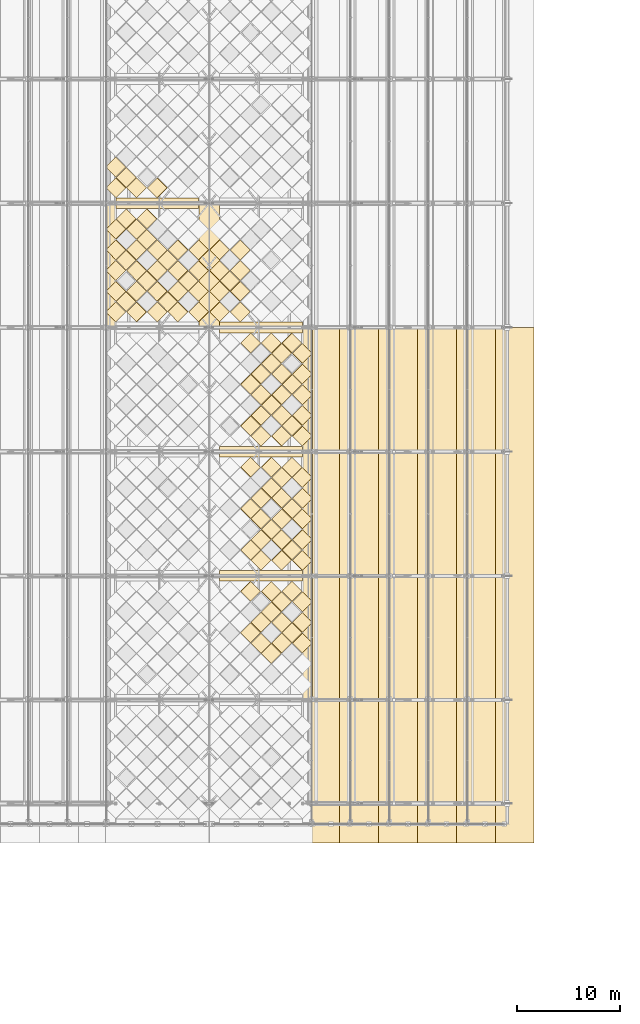
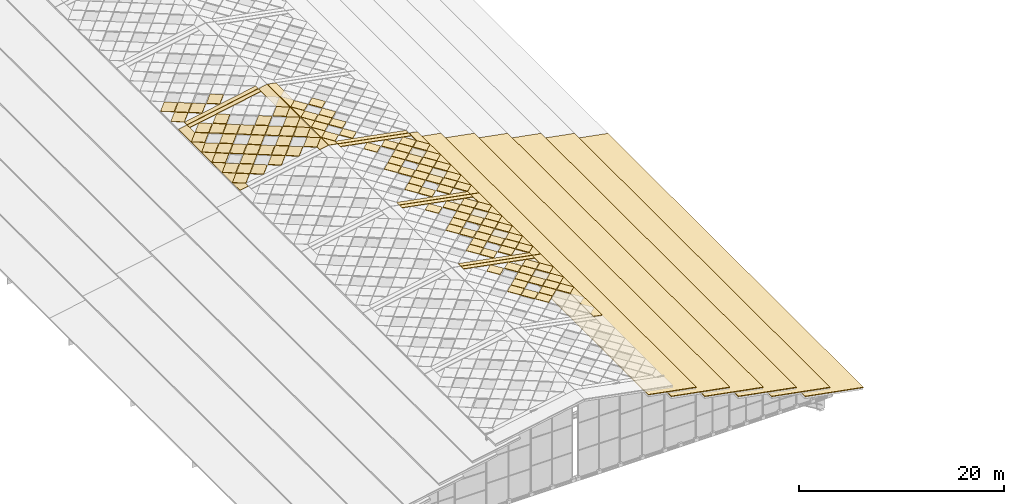
# One storey, part 114 of 117: 126 coverings.
"""IFC4 building model written with IfcOpenShell, lengths in metres."""

import ifcopenshell
import ifcopenshell.guid

model = None  # the IFC model being written
_history = None  # IfcOwnerHistory: only IFC2X3 demands one
_inside = {}  # id of a spatial element -> (the spatial element, [elements in it])
_under = {}  # id of a project, library or spatial element -> (it, [spatial elements below it])
_declared = {}  # id of a project -> (the project, [libraries it declares])
_typed = {}  # id of a type object -> (the type object, [elements of that type])
_made_of = {}  # id of a material, layer set ... -> (it, [elements and type objects made of it])


def new_model(schema):
    """Start an empty IFC model of exactly this schema.

    Asked for "IFC4X3", IfcOpenShell would pick the latest addendum, in which some entities
    have other attributes; the version numbers below select the first issue.
    IFC2X3 requires an IfcOwnerHistory on every rooted entity: one is made here for all.
    """
    global model, _history
    if schema == "IFC4X3":
        model = ifcopenshell.file(schema_version=(4, 3, 0, 0))
    else:
        model = ifcopenshell.file(schema=schema)
    _inside.clear()
    _under.clear()
    _declared.clear()
    _typed.clear()
    _made_of.clear()
    _history = None
    if model.schema == "IFC2X3":
        org = make("IfcOrganization", Name="unknown")
        user = make(
            "IfcPersonAndOrganization",
            ThePerson=make("IfcPerson", FamilyName="unknown"),
            TheOrganization=org,
        )
        app = make(
            "IfcApplication",
            ApplicationDeveloper=org,
            Version="unknown",
            ApplicationFullName="unknown",
            ApplicationIdentifier="unknown",
        )
        _history = make(
            "IfcOwnerHistory",
            OwningUser=user,
            OwningApplication=app,
            ChangeAction="ADDED",
            CreationDate=0,
        )
    return model


def make(cls, **values):
    """One entity of the class cls with the attributes given. An attribute that is None is left unset."""
    return model.create_entity(
        cls, **{name: value for name, value in values.items() if value is not None}
    )


def rooted(cls, **values):
    """An entity with a GlobalId (a new one), such as an element, a storey or a relation."""
    return make(cls, GlobalId=ifcopenshell.guid.new(), OwnerHistory=_history, **values)


def si_unit(unit_type, name, prefix=None):
    """IfcSIUnit, for example si_unit("LENGTHUNIT", "METRE", prefix="MILLI")."""
    return make("IfcSIUnit", UnitType=unit_type, Prefix=prefix, Name=name)


def assignment(units):
    """IfcUnitAssignment: the units of a project."""
    return None if units is None else make("IfcUnitAssignment", Units=units)


def point(xyz):
    """IfcCartesianPoint."""
    return None if xyz is None else make("IfcCartesianPoint", Coordinates=xyz)


def direction(xyz):
    """IfcDirection."""
    return None if xyz is None else make("IfcDirection", DirectionRatios=xyz)


def frame(location, z_axis=None, x_axis=None):
    """IfcAxis2Placement3D, a coordinate frame: its origin and axes. An axis left out is left unset."""
    return make(
        "IfcAxis2Placement3D",
        Location=point(location),
        Axis=direction(z_axis),
        RefDirection=direction(x_axis),
    )


def origin():
    """The frame at (0, 0, 0) with its axes left unset."""
    return frame((0.0, 0.0, 0.0))


def place(relative_to, where):
    """IfcLocalPlacement: puts the frame where relative to a parent placement (None: the world)."""
    return make(
        "IfcLocalPlacement", PlacementRelTo=relative_to, RelativePlacement=where
    )


def context(
    kind, dimensions, precision=None, world=None, true_north=None, identifier=None
):
    """IfcGeometricRepresentationContext, for example the 3D "Model" context."""
    return make(
        "IfcGeometricRepresentationContext",
        ContextIdentifier=identifier,
        ContextType=kind,
        CoordinateSpaceDimension=dimensions,
        Precision=precision,
        WorldCoordinateSystem=world,
        TrueNorth=true_north,
    )


def subcontext(parent, identifier, kind, view, scale=None):
    """IfcGeometricRepresentationSubContext, for example "Body" below "Model"."""
    return make(
        "IfcGeometricRepresentationSubContext",
        ContextIdentifier=identifier,
        ContextType=kind,
        ParentContext=parent,
        TargetScale=scale,
        TargetView=view,
    )


def project(units=None, contexts=None):
    """IfcProject with its units and contexts."""
    return rooted(
        "IfcProject",
        Name="project",
        RepresentationContexts=contexts,
        UnitsInContext=assignment(units),
    )


def spatial(cls, under=None, at=None, **own):
    """A site, building, storey or space (cls), placed at a placement, below another one or the project."""
    s = rooted(cls, ObjectPlacement=at, **own)
    if under is not None:
        _under.setdefault(under.id(), (under, []))[1].append(s)
    return s


def polyline(points):
    """IfcPolyline through the points."""
    return make("IfcPolyline", Points=[point(p) for p in points])


def outline(outer, holes=None, kind="AREA"):
    """IfcArbitraryClosedProfileDef: a profile drawn as a closed curve; with holes, ...WithVoids."""
    if holes is None:
        return make("IfcArbitraryClosedProfileDef", ProfileType=kind, OuterCurve=outer)
    return make(
        "IfcArbitraryProfileDefWithVoids",
        ProfileType=kind,
        OuterCurve=outer,
        InnerCurves=holes,
    )


def extrude(swept, where, along, depth):
    """IfcExtrudedAreaSolid: the profile swept, set in the frame where, extruded along a direction by depth."""
    return make(
        "IfcExtrudedAreaSolid",
        SweptArea=swept,
        Position=where,
        ExtrudedDirection=direction(along),
        Depth=depth,
    )


def shape(context_of_items, identifier, shape_type, items):
    """IfcShapeRepresentation: the items that make up one representation, for example the "Body"."""
    return make(
        "IfcShapeRepresentation",
        ContextOfItems=context_of_items,
        RepresentationIdentifier=identifier,
        RepresentationType=shape_type,
        Items=items,
    )


def material(Name=None, Category=None):
    """IfcMaterial."""
    return make("IfcMaterial", Name=Name, Category=Category)


def layer(
    of_material, thickness, ventilated=None, Name=None, Category=None, Priority=None
):
    """IfcMaterialLayer: one layer of a wall or slab, of a material (None: an air gap)."""
    return make(
        "IfcMaterialLayer",
        Material=of_material,
        LayerThickness=thickness,
        IsVentilated=ventilated,
        Name=Name,
        Category=Category,
        Priority=Priority,
    )


def layer_set(layers, Name=None):
    """IfcMaterialLayerSet."""
    return make("IfcMaterialLayerSet", MaterialLayers=layers, LayerSetName=Name)


def made_of(thing, what):
    """Note that an element or type object is made of a material, layer set ...; save() writes the relation."""
    if what is not None:
        _made_of.setdefault(what.id(), (what, []))[1].append(thing)
    return thing


def type_object(cls, material=None, **own):
    """A type object (cls), such as IfcWallType, which elements share."""
    return made_of(rooted(cls, **own), material)


def element(
    cls,
    number,
    at=None,
    inside=None,
    cuts=None,
    type_object=None,
    material=None,
    context=None,
    identifier="Body",
    shape_type=None,
    held_by="IfcProductDefinitionShape",
    body=None,
    shapes=None,
    **own,
):
    """One element of the class cls, such as IfcWall. Its Tag is "e" and its number.

    at: its placement. inside: the storey or other place that contains it. cuts: it is an
    opening in that element (IfcRelVoidsElement). A single representation is given by context,
    identifier, shape_type and body (its items); several are given by shapes. held_by: the class
    of the entity that holds the representations. save() writes the other relations.
    """
    e = rooted(cls, Tag="e%d" % number, ObjectPlacement=at, **own)
    if body is not None:
        shapes = [shape(context, identifier, shape_type, body)]
    if shapes is not None:
        e.Representation = make(held_by, Representations=shapes)
    if inside is not None:
        _inside.setdefault(inside.id(), (inside, []))[1].append(e)
    if cuts is not None:
        rooted(
            "IfcRelVoidsElement", RelatingBuildingElement=cuts, RelatedOpeningElement=e
        )
    if type_object is not None:
        _typed.setdefault(type_object.id(), (type_object, []))[1].append(e)
    return made_of(e, material)


def aggregate(whole, parts):
    """IfcRelAggregates: a whole, such as a stair, and the parts it consists of."""
    return rooted("IfcRelAggregates", RelatingObject=whole, RelatedObjects=parts)


def save(model, path):
    """Write the relations noted so far, then the file.

    IfcRelAggregates (storeys below a building ...), IfcRelContainedInSpatialStructure (elements
    in a storey), IfcRelDefinesByType, IfcRelAssociatesMaterial and IfcRelDeclares: one each for
    every whole, place, type object, material and project.
    """
    for whole, parts in _under.values():
        aggregate(whole, parts)
    for where, things in _inside.values():
        rooted(
            "IfcRelContainedInSpatialStructure",
            RelatedElements=things,
            RelatingStructure=where,
        )
    for kind, things in _typed.values():
        rooted("IfcRelDefinesByType", RelatedObjects=things, RelatingType=kind)
    for what, things in _made_of.values():
        rooted("IfcRelAssociatesMaterial", RelatedObjects=things, RelatingMaterial=what)
    for by, libraries in _declared.values():
        rooted("IfcRelDeclares", RelatingContext=by, RelatedDefinitions=libraries)
    model.write(path)


model = new_model("IFC4")

# Units and contexts
model_context = context("Model", 3, precision=1e-05, world=origin(), true_north=direction((0.0, 1.0)))
body_context = subcontext(model_context, "Body", "Model", "MODEL_VIEW")
ifc_project = project(units=[si_unit("LENGTHUNIT", "METRE"), si_unit("AREAUNIT", "SQUARE_METRE"), si_unit("VOLUMEUNIT", "CUBIC_METRE"), si_unit("PLANEANGLEUNIT", "RADIAN"), si_unit("MASSUNIT", "GRAM", prefix="KILO")], contexts=[model_context])

# Site, building, storey
site_placement = place(None, origin())
site = spatial("IfcSite", under=ifc_project, at=site_placement, CompositionType="ELEMENT")
building_placement = place(site_placement, origin())
building = spatial("IfcBuilding", under=site, at=building_placement, Name="Merenkruunu Market Hall", CompositionType="ELEMENT")
storey_placement = place(building_placement, frame((0.0, 0.0, 22.800048828125)))
storey = spatial("IfcBuildingStorey", under=building, at=storey_placement, Name="RF", CompositionType="ELEMENT", Elevation=22.800048828125)

# Coverings
ifc_material_1 = material(Name="High-albedo white steel roof cladding", Category="steel")
ifc_layer_1 = layer(ifc_material_1, 0.080078125)
ifc_layer_set_1 = layer_set([ifc_layer_1], Name="High-albedo white steel roof cladding")
covering_type_1 = type_object("IfcCoveringType", Name="Insulated White Diamond Roof Panel RFG01", PredefinedType="ROOFING", material=ifc_layer_set_1)
for number, where, z_axis, x_axis, name in (
    (1, (31.85498046875, 34.10009765625, 1.3076171875), (0.184831776078, 0.0, 0.982770173821), (0.700840184643, -0.701034617669, -0.131808574909), "COV-CROWN-PNL-123"),
    (2, (31.85498046875, 38.10009765625, 1.3076171875), (0.184831776078, 0.0, 0.982770173821), (0.700840184643, -0.701034617669, -0.131808574909), "COV-CROWN-PNL-124"),
    (3, (32.85498046875, 33.10009765625, 1.11962890625), (0.184831776078, 0.0, 0.982770173821), (0.700840184643, -0.701034617669, -0.131808574909), "COV-CROWN-PNL-127"),
    (4, (32.85498046875, 35.10009765625, 1.11962890625), (0.184831776078, 0.0, 0.982770173821), (0.700840184643, -0.701034617669, -0.131808574909), "COV-CROWN-PNL-128"),
    (5, (33.85498046875, 32.10009765625, 0.931640625), (0.184831776078, 0.0, 0.982770173821), (0.700840184643, -0.701034617669, -0.131808574909), "COV-CROWN-PNL-129"),
    (6, (33.85498046875, 36.10009765625, 0.931640625), (0.184831776078, 0.0, 0.982770173821), (0.700840184643, -0.701034617669, -0.131808574909), "COV-CROWN-PNL-130"),
    (7, (33.85498046875, 38.10009765625, 0.931640625), (0.184831776078, 0.0, 0.982770173821), (0.700840184643, -0.701034617669, -0.131808574909), "COV-CROWN-PNL-131"),
    (8, (34.85498046875, 33.10009765625, 0.74365234375), (0.184831776078, 0.0, 0.982770173821), (0.700840184643, -0.701034617669, -0.131808574909), "COV-CROWN-PNL-134"),
    (9, (34.85498046875, 35.10009765625, 0.74365234375), (0.184831776078, 0.0, 0.982770173821), (0.700840184643, -0.701034617669, -0.131808574909), "COV-CROWN-PNL-135"),
    (10, (34.85498046875, 37.10009765625, 0.74365234375), (0.184831776078, 0.0, 0.982770173821), (0.700840184643, -0.701034617669, -0.131808574909), "COV-CROWN-PNL-136"),
    (11, (35.85498046875, 34.10009765625, 0.5556640625), (0.184831776078, 0.0, 0.982770173821), (0.700840184643, -0.701034617669, -0.131808574909), "COV-CROWN-PNL-138"),
    (12, (35.85498046875, 38.10009765625, 0.5556640625), (0.184831776078, 0.0, 0.982770173821), (0.700840184643, -0.701034617669, -0.131808574909), "COV-CROWN-PNL-139"),
    (13, (36.85498046875, 33.10009765625, 0.36767578125), (0.184831776078, 0.0, 0.982770173821), (0.700840184643, -0.701034617669, -0.131808574909), "COV-CROWN-PNL-142"),
    (14, (36.85498046875, 35.10009765625, 0.36767578125), (0.184831776078, 0.0, 0.982770173821), (0.700840184643, -0.701034617669, -0.131808574909), "COV-CROWN-PNL-143"),
    (15, (36.85498046875, 37.10009765625, 0.36767578125), (0.184831776078, 0.0, 0.982770173821), (0.700840184643, -0.701034617669, -0.131808574909), "COV-CROWN-PNL-144"),
    (16, (31.85498046875, 42.10009765625, 1.3076171875), (0.184831776078, 0.0, 0.982770173821), (0.700840184643, -0.701034617669, -0.131808574909), "COV-CROWN-PNL-194"),
    (17, (31.85498046875, 46.10009765625, 1.3076171875), (0.184831776078, 0.0, 0.982770173821), (0.700840184643, -0.701034617669, -0.131808574909), "COV-CROWN-PNL-195"),
    (18, (31.85498046875, 50.10009765625, 1.3076171875), (0.184831776078, 0.0, 0.982770173821), (0.700840184643, -0.701034617669, -0.131808574909), "COV-CROWN-PNL-196"),
    (19, (32.85498046875, 41.10009765625, 1.11962890625), (0.184831776078, 0.0, 0.982770173821), (0.700840184643, -0.701034617669, -0.131808574909), "COV-CROWN-PNL-197"),
    (20, (32.85498046875, 43.10009765625, 1.11962890625), (0.184831776078, 0.0, 0.982770173821), (0.700840184643, -0.701034617669, -0.131808574909), "COV-CROWN-PNL-198"),
    (21, (32.85498046875, 45.10009765625, 1.11962890625), (0.184831776078, 0.0, 0.982770173821), (0.700840184643, -0.701034617669, -0.131808574909), "COV-CROWN-PNL-199"),
    (22, (32.85498046875, 47.10009765625, 1.11962890625), (0.184831776078, 0.0, 0.982770173821), (0.700840184643, -0.701034617669, -0.131808574909), "COV-CROWN-PNL-200"),
    (23, (33.85498046875, 44.10009765625, 0.931640625), (0.184831776078, 0.0, 0.982770173821), (0.700840184643, -0.701034617669, -0.131808574909), "COV-CROWN-PNL-201"),
    (24, (33.85498046875, 48.10009765625, 0.931640625), (0.184831776078, 0.0, 0.982770173821), (0.700840184643, -0.701034617669, -0.131808574909), "COV-CROWN-PNL-202"),
    (25, (33.85498046875, 50.10009765625, 0.931640625), (0.184831776078, 0.0, 0.982770173821), (0.700840184643, -0.701034617669, -0.131808574909), "COV-CROWN-PNL-203"),
    (26, (34.85498046875, 41.10009765625, 0.74365234375), (0.184831776078, 0.0, 0.982770173821), (0.700840184643, -0.701034617669, -0.131808574909), "COV-CROWN-PNL-204"),
    (27, (34.85498046875, 43.10009765625, 0.74365234375), (0.184831776078, 0.0, 0.982770173821), (0.700840184643, -0.701034617669, -0.131808574909), "COV-CROWN-PNL-205"),
    (28, (34.85498046875, 45.10009765625, 0.74365234375), (0.184831776078, 0.0, 0.982770173821), (0.700840184643, -0.701034617669, -0.131808574909), "COV-CROWN-PNL-206"),
    (29, (34.85498046875, 47.10009765625, 0.74365234375), (0.184831776078, 0.0, 0.982770173821), (0.700840184643, -0.701034617669, -0.131808574909), "COV-CROWN-PNL-207"),
    (30, (34.85498046875, 49.10009765625, 0.74365234375), (0.184831776078, 0.0, 0.982770173821), (0.700840184643, -0.701034617669, -0.131808574909), "COV-CROWN-PNL-208"),
    (31, (35.85498046875, 42.10009765625, 0.5556640625), (0.184831776078, 0.0, 0.982770173821), (0.700840184643, -0.701034617669, -0.131808574909), "COV-CROWN-PNL-209"),
    (32, (35.85498046875, 46.10009765625, 0.5556640625), (0.184831776078, 0.0, 0.982770173821), (0.700840184643, -0.701034617669, -0.131808574909), "COV-CROWN-PNL-210"),
    (33, (35.85498046875, 50.10009765625, 0.5556640625), (0.184831776078, 0.0, 0.982770173821), (0.700840184643, -0.701034617669, -0.131808574909), "COV-CROWN-PNL-211"),
    (34, (36.85498046875, 41.10009765625, 0.36767578125), (0.184831776078, 0.0, 0.982770173821), (0.700840184643, -0.701034617669, -0.131808574909), "COV-CROWN-PNL-212"),
    (35, (36.85498046875, 43.10009765625, 0.36767578125), (0.184831776078, 0.0, 0.982770173821), (0.700840184643, -0.701034617669, -0.131808574909), "COV-CROWN-PNL-213"),
    (36, (36.85498046875, 45.10009765625, 0.36767578125), (0.184831776078, 0.0, 0.982770173821), (0.700840184643, -0.701034617669, -0.131808574909), "COV-CROWN-PNL-214"),
    (37, (36.85498046875, 47.10009765625, 0.36767578125), (0.184831776078, 0.0, 0.982770173821), (0.700840184643, -0.701034617669, -0.131808574909), "COV-CROWN-PNL-215"),
    (38, (36.85498046875, 49.10009765625, 0.36767578125), (0.184831776078, 0.0, 0.982770173821), (0.700840184643, -0.701034617669, -0.131808574909), "COV-CROWN-PNL-216"),
    (39, (31.85498046875, 54.10009765625, 1.3076171875), (0.184831776078, 0.0, 0.982770173821), (0.700840184643, -0.701034617669, -0.131808574909), "COV-CROWN-PNL-266"),
    (40, (31.85498046875, 58.10009765625, 1.3076171875), (0.184831776078, 0.0, 0.982770173821), (0.700840184643, -0.701034617669, -0.131808574909), "COV-CROWN-PNL-267"),
    (41, (31.85498046875, 62.10009765625, 1.3076171875), (0.184831776078, 0.0, 0.982770173821), (0.700840184643, -0.701034617669, -0.131808574909), "COV-CROWN-PNL-268"),
    (42, (32.85498046875, 53.10009765625, 1.11962890625), (0.184831776078, 0.0, 0.982770173821), (0.700840184643, -0.701034617669, -0.131808574909), "COV-CROWN-PNL-269"),
    (43, (32.85498046875, 55.10009765625, 1.11962890625), (0.184831776078, 0.0, 0.982770173821), (0.700840184643, -0.701034617669, -0.131808574909), "COV-CROWN-PNL-270"),
    (44, (32.85498046875, 57.10009765625, 1.11962890625), (0.184831776078, 0.0, 0.982770173821), (0.700840184643, -0.701034617669, -0.131808574909), "COV-CROWN-PNL-271"),
    (45, (32.85498046875, 59.10009765625, 1.11962890625), (0.184831776078, 0.0, 0.982770173821), (0.700840184643, -0.701034617669, -0.131808574909), "COV-CROWN-PNL-272"),
    (46, (33.85498046875, 56.10009765625, 0.931640625), (0.184831776078, 0.0, 0.982770173821), (0.700840184643, -0.701034617669, -0.131808574909), "COV-CROWN-PNL-273"),
    (47, (33.85498046875, 60.10009765625, 0.931640625), (0.184831776078, 0.0, 0.982770173821), (0.700840184643, -0.701034617669, -0.131808574909), "COV-CROWN-PNL-274"),
    (48, (33.85498046875, 62.10009765625, 0.931640625), (0.184831776078, 0.0, 0.982770173821), (0.700840184643, -0.701034617669, -0.131808574909), "COV-CROWN-PNL-275"),
    (49, (34.85498046875, 53.10009765625, 0.74365234375), (0.184831776078, 0.0, 0.982770173821), (0.700840184643, -0.701034617669, -0.131808574909), "COV-CROWN-PNL-276"),
    (50, (34.85498046875, 55.10009765625, 0.74365234375), (0.184831776078, 0.0, 0.982770173821), (0.700840184643, -0.701034617669, -0.131808574909), "COV-CROWN-PNL-277"),
    (51, (34.85498046875, 57.10009765625, 0.74365234375), (0.184831776078, 0.0, 0.982770173821), (0.700840184643, -0.701034617669, -0.131808574909), "COV-CROWN-PNL-278"),
    (52, (34.85498046875, 59.10009765625, 0.74365234375), (0.184831776078, 0.0, 0.982770173821), (0.700840184643, -0.701034617669, -0.131808574909), "COV-CROWN-PNL-279"),
    (53, (34.85498046875, 61.10009765625, 0.74365234375), (0.184831776078, 0.0, 0.982770173821), (0.700840184643, -0.701034617669, -0.131808574909), "COV-CROWN-PNL-280"),
    (54, (35.85498046875, 54.10009765625, 0.5556640625), (0.184831776078, 0.0, 0.982770173821), (0.700840184643, -0.701034617669, -0.131808574909), "COV-CROWN-PNL-281"),
    (55, (35.85498046875, 58.10009765625, 0.5556640625), (0.184831776078, 0.0, 0.982770173821), (0.700840184643, -0.701034617669, -0.131808574909), "COV-CROWN-PNL-282"),
    (56, (35.85498046875, 62.10009765625, 0.5556640625), (0.184831776078, 0.0, 0.982770173821), (0.700840184643, -0.701034617669, -0.131808574909), "COV-CROWN-PNL-283"),
    (57, (36.85498046875, 53.10009765625, 0.36767578125), (0.184831776078, 0.0, 0.982770173821), (0.700840184643, -0.701034617669, -0.131808574909), "COV-CROWN-PNL-284"),
    (58, (36.85498046875, 55.10009765625, 0.36767578125), (0.184831776078, 0.0, 0.982770173821), (0.700840184643, -0.701034617669, -0.131808574909), "COV-CROWN-PNL-285"),
    (59, (36.85498046875, 57.10009765625, 0.36767578125), (0.184831776078, 0.0, 0.982770173821), (0.700840184643, -0.701034617669, -0.131808574909), "COV-CROWN-PNL-286"),
    (60, (36.85498046875, 59.10009765625, 0.36767578125), (0.184831776078, 0.0, 0.982770173821), (0.700840184643, -0.701034617669, -0.131808574909), "COV-CROWN-PNL-287"),
    (61, (36.85498046875, 61.10009765625, 0.36767578125), (0.184831776078, 0.0, 0.982770173821), (0.700840184643, -0.701034617669, -0.131808574909), "COV-CROWN-PNL-288"),
):
    element("IfcCovering", number, at=place(storey_placement, frame(where, z_axis=z_axis, x_axis=x_axis)), inside=storey, type_object=covering_type_1, Name=name, PredefinedType="ROOFING", context=body_context, shape_type="SweptSolid", body=[
        extrude(outline(polyline([(0.0, 0.0), (1.3696970933020924, 3.8163916471489756e-17), (1.3931523667781838, 1.3695284344678598), (0.023594244677936634, 1.3693226969882304), (0.0, 0.0)])), origin(), (0.0, 0.0, -1.0), 0.080078125),
    ])
for number, where, z_axis, x_axis, name in (
    (62, (26.8251953125, 65.10009765625, 1.5107421875), (-0.184711070472, 0.0, 0.982792867518), (0.700856370735, -0.70103461498, 0.131722496941), "COV-CROWN-PNL-289"),
    (63, (26.8251953125, 67.10009765625, 1.5107421875), (-0.184711070472, 0.0, 0.982792867518), (0.700856370735, -0.70103461498, 0.131722496941), "COV-CROWN-PNL-290"),
    (64, (26.8251953125, 69.10009765625, 1.5107421875), (-0.184711070472, 0.0, 0.982792867518), (0.700856370735, -0.70103461498, 0.131722496941), "COV-CROWN-PNL-291"),
    (65, (26.8251953125, 71.10009765625, 1.5107421875), (-0.184711070472, 0.0, 0.982792867518), (0.700856370735, -0.70103461498, 0.131722496941), "COV-CROWN-PNL-292"),
    (66, (25.8251953125, 68.10009765625, 1.32275390625), (-0.184711070472, 0.0, 0.982792867518), (0.700856370735, -0.70103461498, 0.131722496941), "COV-CROWN-PNL-294"),
    (67, (24.8251953125, 65.10009765625, 1.134765625), (-0.184711070472, 0.0, 0.982792867518), (0.700856370735, -0.70103461498, 0.131722496941), "COV-CROWN-PNL-297"),
    (68, (24.8251953125, 67.10009765625, 1.134765625), (-0.184711070472, 0.0, 0.982792867518), (0.700856370735, -0.70103461498, 0.131722496941), "COV-CROWN-PNL-298"),
    (69, (24.8251953125, 69.10009765625, 1.134765625), (-0.184711070472, 0.0, 0.982792867518), (0.700856370735, -0.70103461498, 0.131722496941), "COV-CROWN-PNL-299"),
    (70, (24.8251953125, 71.10009765625, 1.134765625), (-0.184711070472, 0.0, 0.982792867518), (0.700856370735, -0.70103461498, 0.131722496941), "COV-CROWN-PNL-300"),
):
    element("IfcCovering", number, at=place(storey_placement, frame(where, z_axis=z_axis, x_axis=x_axis)), inside=storey, type_object=covering_type_1, Name=name, PredefinedType="ROOFING", context=body_context, shape_type="SweptSolid", body=[
        extrude(outline(polyline([(0.0, 0.0), (1.369697098555844, -1.1796119636642288e-16), (1.393120202621735, 1.3694968053954037), (0.0235942550949389, 1.369322702063927), (0.0, 0.0)])), origin(), (0.0, 0.0, -1.0), 0.080078125),
    ])
for number, where, z_axis, x_axis, name in (
    (71, (23.8251953125, 66.10009765625, 0.946533203125), (-0.184831776078, 0.0, 0.982770173821), (0.700856096019, -0.701018147677, 0.131811567397), "COV-CROWN-PNL-302"),
    (72, (23.8251953125, 70.10009765625, 0.946533203125), (-0.184831776078, 0.0, 0.982770173821), (0.700856096019, -0.701018147677, 0.131811567397), "COV-CROWN-PNL-303"),
    (73, (22.8251953125, 65.10009765625, 0.758544921875), (-0.184831776078, 0.0, 0.982770173821), (0.700856096019, -0.701018147677, 0.131811567397), "COV-CROWN-PNL-305"),
    (74, (22.8251953125, 67.10009765625, 0.758544921875), (-0.184831776078, 0.0, 0.982770173821), (0.700856096019, -0.701018147677, 0.131811567397), "COV-CROWN-PNL-306"),
    (75, (22.8251953125, 69.10009765625, 0.758544921875), (-0.184831776078, 0.0, 0.982770173821), (0.700856096019, -0.701018147677, 0.131811567397), "COV-CROWN-PNL-307"),
    (76, (22.8251953125, 71.10009765625, 0.758544921875), (-0.184831776078, 0.0, 0.982770173821), (0.700856096019, -0.701018147677, 0.131811567397), "COV-CROWN-PNL-308"),
    (77, (21.8251953125, 68.10009765625, 0.570556640625), (-0.184831776078, 0.0, 0.982770173821), (0.700856096019, -0.701018147677, 0.131811567397), "COV-CROWN-PNL-309"),
    (78, (21.8251953125, 72.10009765625, 0.570556640625), (-0.184831776078, 0.0, 0.982770173821), (0.700856096019, -0.701018147677, 0.131811567397), "COV-CROWN-PNL-310"),
    (79, (21.8251953125, 74.10009765625, 0.570556640625), (-0.184831776078, 0.0, 0.982770173821), (0.700856096019, -0.701018147677, 0.131811567397), "COV-CROWN-PNL-311"),
    (80, (20.8251953125, 65.10009765625, 0.382568359375), (-0.184831776078, 0.0, 0.982770173821), (0.700856096019, -0.701018147677, 0.131811567397), "COV-CROWN-PNL-312"),
    (81, (20.8251953125, 67.10009765625, 0.382568359375), (-0.184831776078, 0.0, 0.982770173821), (0.700856096019, -0.701018147677, 0.131811567397), "COV-CROWN-PNL-313"),
    (82, (20.8251953125, 69.10009765625, 0.382568359375), (-0.184831776078, 0.0, 0.982770173821), (0.700856096019, -0.701018147677, 0.131811567397), "COV-CROWN-PNL-314"),
    (83, (20.8251953125, 71.10009765625, 0.382568359375), (-0.184831776078, 0.0, 0.982770173821), (0.700856096019, -0.701018147677, 0.131811567397), "COV-CROWN-PNL-315"),
    (84, (20.8251953125, 73.10009765625, 0.382568359375), (-0.184831776078, 0.0, 0.982770173821), (0.700856096019, -0.701018147677, 0.131811567397), "COV-CROWN-PNL-316"),
    (85, (19.8251953125, 66.10009765625, 0.194580078125), (-0.184831776078, 0.0, 0.982770173821), (0.700856096019, -0.701018147677, 0.131811567397), "COV-CROWN-PNL-317"),
    (86, (19.8251953125, 70.10009765625, 0.194580078125), (-0.184831776078, 0.0, 0.982770173821), (0.700856096019, -0.701018147677, 0.131811567397), "COV-CROWN-PNL-318"),
    (87, (19.8251953125, 74.10009765625, 0.194580078125), (-0.184831776078, 0.0, 0.982770173821), (0.700856096019, -0.701018147677, 0.131811567397), "COV-CROWN-PNL-319"),
    (88, (18.8251953125, 65.10009765625, 0.006591796875), (-0.184831776078, 0.0, 0.982770173821), (0.700856096019, -0.701018147677, 0.131811567397), "COV-CROWN-PNL-320"),
    (89, (18.8251953125, 67.10009765625, 0.006591796875), (-0.184831776078, 0.0, 0.982770173821), (0.700856096019, -0.701018147677, 0.131811567397), "COV-CROWN-PNL-321"),
    (90, (18.8251953125, 69.10009765625, 0.006591796875), (-0.184831776078, 0.0, 0.982770173821), (0.700856096019, -0.701018147677, 0.131811567397), "COV-CROWN-PNL-322"),
    (91, (18.8251953125, 71.10009765625, 0.006591796875), (-0.184831776078, 0.0, 0.982770173821), (0.700856096019, -0.701018147677, 0.131811567397), "COV-CROWN-PNL-323"),
    (92, (18.8251953125, 73.10009765625, 0.006591796875), (-0.184831776078, 0.0, 0.982770173821), (0.700856096019, -0.701018147677, 0.131811567397), "COV-CROWN-PNL-324"),
):
    element("IfcCovering", number, at=place(storey_placement, frame(where, z_axis=z_axis, x_axis=x_axis)), inside=storey, type_object=covering_type_1, Name=name, PredefinedType="ROOFING", context=body_context, shape_type="SweptSolid", body=[
        extrude(outline(polyline([(0.0, 0.0), (1.3697292734952495, 5.551115123125783e-17), (1.3931839959170225, 1.3694962589931816), (0.023658049988929668, 1.3693537851152227), (0.0, 0.0)])), origin(), (0.0, 0.0, -1.0), 0.080078125),
    ])
for number, where, z_axis, x_axis, name in (
    (93, (28.85498046875, 65.10009765625, 1.87158203125), (0.184711070472, 0.0, 0.982792867518), (0.700856370735, -0.70103461498, -0.131722496941), "COV-CROWN-PNL-325"),
    (94, (28.85498046875, 67.10009765625, 1.87158203125), (0.184711070472, 0.0, 0.982792867518), (0.700856370735, -0.70103461498, -0.131722496941), "COV-CROWN-PNL-326"),
    (95, (28.85498046875, 69.10009765625, 1.87158203125), (0.184711070472, 0.0, 0.982792867518), (0.700856370735, -0.70103461498, -0.131722496941), "COV-CROWN-PNL-327"),
    (96, (28.85498046875, 71.10009765625, 1.87158203125), (0.184711070472, 0.0, 0.982792867518), (0.700856370735, -0.70103461498, -0.131722496941), "COV-CROWN-PNL-328"),
    (97, (29.85498046875, 68.10009765625, 1.68359375), (0.184711070472, 0.0, 0.982792867518), (0.700856370735, -0.70103461498, -0.131722496941), "COV-CROWN-PNL-330"),
    (98, (30.85498046875, 65.10009765625, 1.49560546875), (0.184711070472, 0.0, 0.982792867518), (0.700856370735, -0.70103461498, -0.131722496941), "COV-CROWN-PNL-333"),
    (99, (30.85498046875, 67.10009765625, 1.49560546875), (0.184711070472, 0.0, 0.982792867518), (0.700856370735, -0.70103461498, -0.131722496941), "COV-CROWN-PNL-334"),
    (100, (30.85498046875, 69.10009765625, 1.49560546875), (0.184711070472, 0.0, 0.982792867518), (0.700856370735, -0.70103461498, -0.131722496941), "COV-CROWN-PNL-335"),
    (101, (30.85498046875, 71.10009765625, 1.49560546875), (0.184711070472, 0.0, 0.982792867518), (0.700856370735, -0.70103461498, -0.131722496941), "COV-CROWN-PNL-336"),
):
    element("IfcCovering", number, at=place(storey_placement, frame(where, z_axis=z_axis, x_axis=x_axis)), inside=storey, type_object=covering_type_1, Name=name, PredefinedType="ROOFING", context=body_context, shape_type="SweptSolid", body=[
        extrude(outline(polyline([(0.0, 0.0), (1.369697098555844, -1.1796119636642288e-16), (1.393120202621735, 1.3694968053954037), (0.0235942550949389, 1.369322702063927), (0.0, 0.0)])), origin(), (0.0, 0.0, -1.0), 0.080078125),
    ])
for number, where, z_axis, x_axis, name in (
    (102, (22.8251953125, 77.10009765625, 0.758544921875), (-0.184831776078, 0.0, 0.982770173821), (0.700856096019, -0.701018147677, 0.131811567397), "COV-CROWN-PNL-377"),
    (103, (20.8251953125, 77.10009765625, 0.382568359375), (-0.184831776078, 0.0, 0.982770173821), (0.700856096019, -0.701018147677, 0.131811567397), "COV-CROWN-PNL-384"),
    (104, (19.8251953125, 78.10009765625, 0.194580078125), (-0.184831776078, 0.0, 0.982770173821), (0.700856096019, -0.701018147677, 0.131811567397), "COV-CROWN-PNL-389"),
    (105, (18.8251953125, 77.10009765625, 0.006591796875), (-0.184831776078, 0.0, 0.982770173821), (0.700856096019, -0.701018147677, 0.131811567397), "COV-CROWN-PNL-392"),
    (106, (18.8251953125, 79.10009765625, 0.006591796875), (-0.184831776078, 0.0, 0.982770173821), (0.700856096019, -0.701018147677, 0.131811567397), "COV-CROWN-PNL-393"),
):
    element("IfcCovering", number, at=place(storey_placement, frame(where, z_axis=z_axis, x_axis=x_axis)), inside=storey, type_object=covering_type_1, Name=name, PredefinedType="ROOFING", context=body_context, shape_type="SweptSolid", body=[
        extrude(outline(polyline([(0.0, 0.0), (1.3697292734952495, 5.551115123125783e-17), (1.3931839959170225, 1.3694962589931816), (0.023658049988929668, 1.3693537851152227), (0.0, 0.0)])), origin(), (0.0, 0.0, -1.0), 0.080078125),
    ])
covering_1_placement = place(storey_placement, frame((53.65478515625, 13.800048828125, -6.5048828125), z_axis=(0.182239955012, 0.0, 0.983254086591), x_axis=(0.983254086591, 0.0, -0.182239955012)))
element("IfcCovering", 107, at=covering_1_placement, inside=storey, type_object=covering_type_1, Name="COV-SLRF-028", PredefinedType="ROOFING", context=body_context, shape_type="SweptSolid", body=[
    extrude(outline(polyline([(0.0, 0.0), (6.671535407364279, 0.0), (6.671535407364279, 49.800048828125), (0.0, 49.800048828125), (0.0, 0.0)]), holes=[polyline([(0.5085340703716363, 24.25), (1.8304861193475872, 24.25), (1.8304861193475872, 25.550048828125), (0.5085340703716363, 25.550048828125), (0.5085340703716363, 24.25)])]), origin(), (0.0, 0.0, -1.0), 0.080078125),
])
covering_2_placement = place(storey_placement, frame((49.894775390625, 13.800048828125, -5.18505859375), z_axis=(0.18220457564, 0.0, 0.983260643276), x_axis=(0.983260643276, 0.0, -0.18220457564)))
element("IfcCovering", 108, at=covering_2_placement, inside=storey, type_object=covering_type_1, Name="COV-SLRF-032", PredefinedType="ROOFING", context=body_context, shape_type="SweptSolid", body=[
    extrude(outline(polyline([(0.0, 0.0), (6.671490919506518, 0.0), (6.671490919506518, 49.800048828125014), (0.0, 49.800048828125014), (0.0, 0.0)]), holes=[polyline([(0.5084895829094569, 24.250000000000007), (1.8304416290420142, 24.250000000000007), (1.8304416290420142, 25.550048828125007), (0.5084895829094569, 25.550048828125007), (0.5084895829094569, 24.250000000000007)])]), origin(), (0.0, 0.0, -1.0), 0.080078125),
])
covering_3_placement = place(storey_placement, frame((46.134765625, 13.800048828125, -3.864990234375), z_axis=(0.182239955012, 0.0, 0.983254086591), x_axis=(0.983254086591, 0.0, -0.182239955012)))
element("IfcCovering", 109, at=covering_3_placement, inside=storey, type_object=covering_type_1, Name="COV-SLRF-036", PredefinedType="ROOFING", context=body_context, shape_type="SweptSolid", body=[
    extrude(outline(polyline([(0.0, 0.0), (6.671535407364279, 0.0), (6.671535407364279, 49.800048828125), (0.0, 49.800048828125), (0.0, 0.0)]), holes=[polyline([(0.5084895781951198, 24.25), (1.8306816794383045, 24.25), (1.8306816794383045, 25.550048828125), (0.5084895781951198, 25.550048828125), (0.5084895781951198, 24.25)])]), origin(), (0.0, 0.0, -1.0), 0.080078125),
])
covering_4_placement = place(storey_placement, frame((42.374755859375, 13.800048828125, -2.544921875), z_axis=(0.182233397966, 0.0, 0.983255301875), x_axis=(0.983255301875, 0.0, -0.182233397966)))
element("IfcCovering", 110, at=covering_4_placement, inside=storey, type_object=covering_type_1, Name="COV-SLRF-040", PredefinedType="ROOFING", context=body_context, shape_type="SweptSolid", body=[
    extrude(outline(polyline([(0.0, 0.0), (6.671775459779865, 0.0), (6.671775459779865, 49.800048828125), (0.0, 49.800048828125), (0.0, 0.0)]), holes=[polyline([(0.5084895791185551, 24.25), (1.830726170836341, 24.25), (1.830726170836341, 25.550048828125), (0.5084895791185551, 25.550048828125), (0.5084895791185551, 24.25)])]), origin(), (0.0, 0.0, -1.0), 0.080078125),
])
covering_5_placement = place(storey_placement, frame((38.61474609375, 13.800048828125, -1.224853515625), z_axis=(0.182233397966, 0.0, 0.983255301875), x_axis=(0.983255301875, 0.0, -0.182233397966)))
element("IfcCovering", 111, at=covering_5_placement, inside=storey, type_object=covering_type_1, Name="COV-SLRF-044", PredefinedType="ROOFING", context=body_context, shape_type="SweptSolid", body=[
    extrude(outline(polyline([(0.0, 0.0), (6.671775459779865, 0.0), (6.671775459779865, 49.800048828125), (0.0, 49.800048828125), (0.0, 0.0)]), holes=[polyline([(0.5085340696942303, 24.25), (1.830726170836341, 24.25), (1.830726170836341, 25.550048828125), (0.5085340696942303, 25.550048828125), (0.5085340696942303, 24.25)])]), origin(), (0.0, 0.0, -1.0), 0.080078125),
])
covering_6_placement = place(storey_placement, frame((36.0146484375, 13.800048828125, -0.119873046875), z_axis=(0.182256397646, 0.0, 0.98325103891), x_axis=(0.98325103891, 0.0, -0.182256397646)))
element("IfcCovering", 112, at=covering_6_placement, inside=storey, type_object=covering_type_1, Name="COV-SLRF-048", PredefinedType="ROOFING", context=body_context, shape_type="SweptSolid", body=[
    extrude(outline(polyline([(0.0, 0.0), (5.492134023435881, 0.0), (5.492134023435881, 49.800048828125), (0.0, 49.800048828125), (0.0, 0.0)]), holes=[polyline([(0.5085340719708614, 24.25), (1.830726173208904, 24.25), (1.830726173208904, 25.550048828125), (0.5085340719708614, 25.550048828125), (0.5085340719708614, 24.25)])]), origin(), (0.0, 0.0, -1.0), 0.080078125),
])
ifc_material_2 = material(Name="High-albedo white roof membrane")
ifc_layer_2 = layer(ifc_material_2, 0.06005859375)
ifc_layer_set_2 = layer_set([ifc_layer_2], Name="High-albedo white roof membrane")
covering_type_2 = type_object("IfcCoveringType", Name="Warm Membrane Roof Covering RFG02", PredefinedType="ROOFING", material=ifc_layer_set_2)
covering_7_placement = place(storey_placement, frame((37.831298828125, 27.6201171875, 0.16357421875), z_axis=(0.184711070472, 0.0, 0.982792867518), x_axis=(0.982792867518, 0.0, -0.184711070472)))
element("IfcCovering", 113, at=covering_7_placement, inside=storey, type_object=covering_type_2, Name="COV-CROWN-TRIM-014", PredefinedType="ROOFING", context=body_context, shape_type="SweptSolid", body=[
    extrude(outline(polyline([(0.0, 0.0), (0.9767683193753063, 0.0), (0.9767683193753063, 11.9599609375), (0.0, 11.9599609375), (0.0, 0.0)])), origin(), (0.0, 0.0, -1.0), 0.06005859375),
])
covering_8_placement = place(storey_placement, frame((29.811279296875, 39.080078125, 1.67138671875), z_axis=(0.184752092456, 0.0, 0.982785156753), x_axis=(0.982785156753, 0.0, -0.184752092456)))
element("IfcCovering", 114, at=covering_8_placement, inside=storey, type_object=covering_type_2, Name="COV-CROWN-TRIM-016", PredefinedType="ROOFING", context=body_context, shape_type="SweptSolid", body=[
    extrude(outline(polyline([(0.0, 0.0), (8.140131080565538, 0.0), (8.140131080565538, 0.5000000000000001), (0.0, 0.5000000000000001), (0.0, 0.0)])), origin(), (0.0, 0.0, -1.0), 0.06005859375),
])
covering_9_placement = place(storey_placement, frame((37.831298828125, 39.6201171875, 0.16357421875), z_axis=(0.184711070472, 0.0, 0.982792867518), x_axis=(0.982792867518, 0.0, -0.184711070472)))
element("IfcCovering", 115, at=covering_9_placement, inside=storey, type_object=covering_type_2, Name="COV-CROWN-TRIM-022", PredefinedType="ROOFING", context=body_context, shape_type="SweptSolid", body=[
    extrude(outline(polyline([(0.0, 0.0), (0.9767683193753063, 0.0), (0.9767683193753063, 11.9599609375), (0.0, 11.9599609375), (0.0, 0.0)])), origin(), (0.0, 0.0, -1.0), 0.06005859375),
])
for number, where, z_axis, x_axis, name in (
    (116, (29.811279296875, 39.6201171875, 1.67138671875), (0.184752092456, 0.0, 0.982785156753), (0.982785156753, 0.0, -0.184752092456), "COV-CROWN-TRIM-023"),
    (117, (29.811279296875, 51.080078125, 1.67138671875), (0.184752092456, 0.0, 0.982785156753), (0.982785156753, 0.0, -0.184752092456), "COV-CROWN-TRIM-024"),
):
    element("IfcCovering", number, at=place(storey_placement, frame(where, z_axis=z_axis, x_axis=x_axis)), inside=storey, type_object=covering_type_2, Name=name, PredefinedType="ROOFING", context=body_context, shape_type="SweptSolid", body=[
        extrude(outline(polyline([(0.0, 0.0), (8.140131080565538, 0.0), (8.140131080565538, 0.5000000000000001), (0.0, 0.5000000000000001), (0.0, 0.0)])), origin(), (0.0, 0.0, -1.0), 0.06005859375),
    ])
covering_10_placement = place(storey_placement, frame((37.831298828125, 51.6201171875, 0.16357421875), z_axis=(0.184711070472, 0.0, 0.982792867518), x_axis=(0.982792867518, 0.0, -0.184711070472)))
element("IfcCovering", 118, at=covering_10_placement, inside=storey, type_object=covering_type_2, Name="COV-CROWN-TRIM-030", PredefinedType="ROOFING", context=body_context, shape_type="SweptSolid", body=[
    extrude(outline(polyline([(0.0, 0.0), (0.9767683193753063, 0.0), (0.9767683193753063, 11.9599609375), (0.0, 11.9599609375), (0.0, 0.0)])), origin(), (0.0, 0.0, -1.0), 0.06005859375),
])
for number, where, z_axis, x_axis, name in (
    (119, (29.811279296875, 51.6201171875, 1.67138671875), (0.184752092456, 0.0, 0.982785156753), (0.982785156753, 0.0, -0.184752092456), "COV-CROWN-TRIM-031"),
    (120, (29.811279296875, 63.080078125, 1.67138671875), (0.184752092456, 0.0, 0.982785156753), (0.982785156753, 0.0, -0.184752092456), "COV-CROWN-TRIM-032"),
):
    element("IfcCovering", number, at=place(storey_placement, frame(where, z_axis=z_axis, x_axis=x_axis)), inside=storey, type_object=covering_type_2, Name=name, PredefinedType="ROOFING", context=body_context, shape_type="SweptSolid", body=[
        extrude(outline(polyline([(0.0, 0.0), (8.140131080565538, 0.0), (8.140131080565538, 0.5000000000000001), (0.0, 0.5000000000000001), (0.0, 0.0)])), origin(), (0.0, 0.0, -1.0), 0.06005859375),
    ])
covering_11_placement = place(storey_placement, frame((27.808837890625, 63.6201171875, 1.675048828125), z_axis=(-0.184952473321, 0.0, 0.982747466348), x_axis=(0.982747466348, 0.0, 0.184952473321)))
element("IfcCovering", 121, at=covering_11_placement, inside=storey, type_object=covering_type_2, Name="COV-CROWN-TRIM-033", PredefinedType="ROOFING", context=body_context, shape_type="SweptSolid", body=[
    extrude(outline(polyline([(0.0, 0.0), (0.9768134443202975, 0.0), (0.9768134443202975, 11.9599609375), (0.0, 11.9599609375), (0.0, 0.0)])), origin(), (0.0, 0.0, -1.0), 0.06005859375),
])
covering_12_placement = place(storey_placement, frame((18.808837890625, 63.6201171875, -0.016845703125), z_axis=(-0.184711070472, 0.0, 0.982792867518), x_axis=(0.982792867518, 0.0, 0.184711070472)))
element("IfcCovering", 122, at=covering_12_placement, inside=storey, type_object=covering_type_2, Name="COV-CROWN-TRIM-034", PredefinedType="ROOFING", context=body_context, shape_type="SweptSolid", body=[
    extrude(outline(polyline([(0.0, 0.0), (0.9767683193753063, 0.0), (0.9767683193753063, 11.9599609375), (0.0, 11.9599609375), (0.0, 0.0)])), origin(), (0.0, 0.0, -1.0), 0.06005859375),
])
covering_13_placement = place(storey_placement, frame((19.788818359375, 75.080078125, 0.16748046875), z_axis=(-0.184752092456, 0.0, 0.982785156753), x_axis=(0.982785156753, 0.0, 0.184752092456)))
element("IfcCovering", 123, at=covering_13_placement, inside=storey, type_object=covering_type_2, Name="COV-CROWN-TRIM-036", PredefinedType="ROOFING", context=body_context, shape_type="SweptSolid", body=[
    extrude(outline(polyline([(0.0, 0.0), (8.140131080565538, 0.0), (8.140131080565538, 0.5000000000000001), (0.0, 0.5000000000000001), (0.0, 0.0)])), origin(), (0.0, 0.0, -1.0), 0.06005859375),
])
covering_14_placement = place(storey_placement, frame((28.831298828125, 63.6201171875, 1.855712890625), z_axis=(0.184952473321, 0.0, 0.982747466348), x_axis=(0.982747466348, 0.0, -0.184952473321)))
element("IfcCovering", 124, at=covering_14_placement, inside=storey, type_object=covering_type_2, Name="COV-CROWN-TRIM-037", PredefinedType="ROOFING", context=body_context, shape_type="SweptSolid", body=[
    extrude(outline(polyline([(0.0, 0.0), (0.9768134443202975, 0.0), (0.9768134443202975, 11.9599609375), (0.0, 11.9599609375), (0.0, 0.0)])), origin(), (0.0, 0.0, -1.0), 0.06005859375),
])
for number, where, z_axis, x_axis, name in (
    (125, (29.811279296875, 63.6201171875, 1.67138671875), (0.184752092456, 0.0, 0.982785156753), (0.982785156753, 0.0, -0.184752092456), "COV-CROWN-TRIM-039"),
    (126, (19.788818359375, 75.6201171875, 0.16748046875), (-0.184752092456, 0.0, 0.982785156753), (0.982785156753, 0.0, 0.184752092456), "COV-CROWN-TRIM-043"),
):
    element("IfcCovering", number, at=place(storey_placement, frame(where, z_axis=z_axis, x_axis=x_axis)), inside=storey, type_object=covering_type_2, Name=name, PredefinedType="ROOFING", context=body_context, shape_type="SweptSolid", body=[
        extrude(outline(polyline([(0.0, 0.0), (8.140131080565538, 0.0), (8.140131080565538, 0.5000000000000001), (0.0, 0.5000000000000001), (0.0, 0.0)])), origin(), (0.0, 0.0, -1.0), 0.06005859375),
    ])

save(model, "model.ifc")
